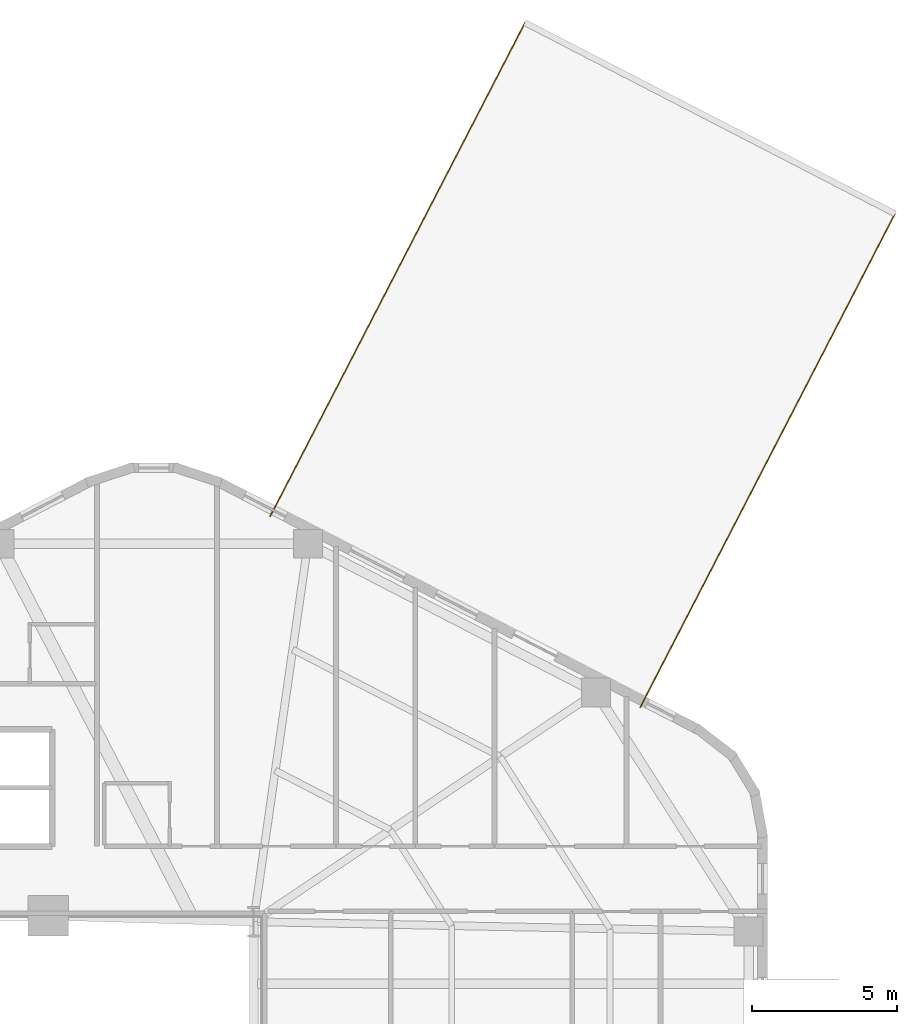
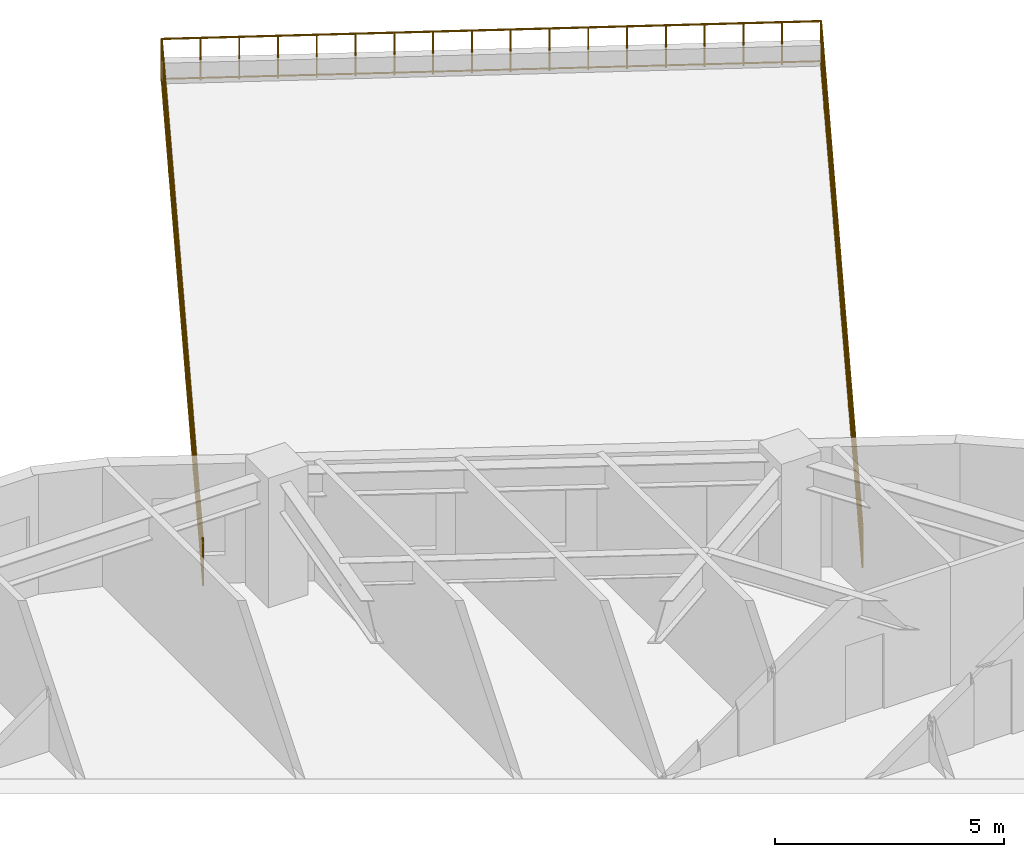
# One storey, part 8 of 8: 1 railing.
"""IFC4 building model written with IfcOpenShell, lengths in metres."""

from ifc_helpers import new_model, si_unit, direction, frame, origin, origin_2d, place, context, subcontext, project, spatial, circle, extrude, material, type_object, element, save


model = new_model("IFC4")

# Units and contexts
model_context = context("Model", 3, precision=1e-05, world=origin(), true_north=direction((0.0, 1.0)))
body_context = subcontext(model_context, "Body", "Model", "MODEL_VIEW")
ifc_project = project(units=[si_unit("LENGTHUNIT", "METRE"), si_unit("AREAUNIT", "SQUARE_METRE"), si_unit("VOLUMEUNIT", "CUBIC_METRE"), si_unit("PLANEANGLEUNIT", "RADIAN"), si_unit("MASSUNIT", "GRAM", prefix="KILO"), si_unit("THERMODYNAMICTEMPERATUREUNIT", "KELVIN"), si_unit("POWERUNIT", "WATT")], contexts=[model_context])

# Site, building, storey
site_placement = place(None, origin())
site = spatial("IfcSite", under=ifc_project, at=site_placement, CompositionType="ELEMENT")
building_placement = place(site_placement, origin())
building = spatial("IfcBuilding", under=site, at=building_placement, Name="Skarre Station Tower", CompositionType="ELEMENT")
storey_placement = place(building_placement, frame((0.0, 0.0, 122.25)))
storey = spatial("IfcBuildingStorey", under=building, at=storey_placement, Name="L32", CompositionType="ELEMENT", Elevation=122.25)

# Railing
ifc_material = material(Name="Stainless Steel Grade 316L & Laminated Safety Glass", Category="steel")
railing_type = type_object("IfcRailingType", Name="Laminated Glass & Stainless Terrace Guardrail 1150", PredefinedType="BALUSTRADE", material=ifc_material)
railing_placement = place(storey_placement, frame((52.822998046875, 36.76708984375, 0.0)))
element("IfcRailing", 1, at=railing_placement, inside=storey, type_object=railing_type, Name="L32 SB-2 Sky-Bar Roof Terrace Guardrail", PredefinedType="BALUSTRADE", context=body_context, shape_type="SweptSolid", body=[
    extrude(circle(Radius=0.02392578125, at=origin_2d()), frame((0.0, 0.0, 1.1259765625), z_axis=(0.458697010696, 0.888592737073, 0.0), x_axis=(-0.888592737073, 0.458697010696, 0.0)), (0.0, 0.0, 1.0), 19.19970703125),
    extrude(circle(Radius=0.02099609375, at=origin_2d()), frame((0.0, 0.0, 0.06005859375), z_axis=(0.458697010696, 0.888592737073, 0.0), x_axis=(-0.888592737073, 0.458697010696, 0.0)), (0.0, 0.0, 1.0), 19.19970703125),
    extrude(circle(Radius=0.02392578125, at=origin_2d()), frame((8.806884765625, 17.060791015625, 1.1259765625), z_axis=(-0.888595468438, 0.458691719427, 0.0), x_axis=(-0.458691719427, -0.888595468438, 0.0)), (0.0, 0.0, 1.0), 14.400146484375),
    extrude(circle(Radius=0.02099609375, at=origin_2d()), frame((8.806884765625, 17.060791015625, 0.06005859375), z_axis=(-0.888595468438, 0.458691719427, 0.0), x_axis=(-0.458691719427, -0.888595468438, 0.0)), (0.0, 0.0, 1.0), 14.400146484375),
    extrude(circle(Radius=0.02392578125, at=origin_2d()), frame((-3.989013671875, 23.666015625, 1.1259765625), z_axis=(-0.45865166523, -0.888616143215, 0.0), x_axis=(0.888616143215, -0.45865166523, 0.0)), (0.0, 0.0, 1.0), 19.199462890625),
    extrude(circle(Radius=0.02099609375, at=origin_2d()), frame((-3.989013671875, 23.666015625, 0.06005859375), z_axis=(-0.45865166523, -0.888616143215, 0.0), x_axis=(0.888616143215, -0.45865166523, 0.0)), (0.0, 0.0, 1.0), 19.199462890625),
    extrude(circle(Radius=0.02099609375, at=origin_2d()), origin(), (0.0, 0.0, 1.0), 1.101806640625),
    extrude(circle(Radius=0.02099609375, at=origin_2d()), frame((0.400390625, 0.775390625, 0.0)), (0.0, 0.0, 1.0), 1.101806640625),
    extrude(circle(Radius=0.02099609375, at=origin_2d()), frame((0.800537109375, 1.551025390625, 0.0)), (0.0, 0.0, 1.0), 1.101806640625),
    extrude(circle(Radius=0.02099609375, at=origin_2d()), frame((1.200927734375, 2.326416015625, 0.0)), (0.0, 0.0, 1.0), 1.101806640625),
    extrude(circle(Radius=0.02099609375, at=origin_2d()), frame((1.601318359375, 3.10205078125, 0.0)), (0.0, 0.0, 1.0), 1.101806640625),
    extrude(circle(Radius=0.02099609375, at=origin_2d()), frame((2.00146484375, 3.87744140625, 0.0)), (0.0, 0.0, 1.0), 1.101806640625),
    extrude(circle(Radius=0.02099609375, at=origin_2d()), frame((2.40185546875, 4.65283203125, 0.0)), (0.0, 0.0, 1.0), 1.101806640625),
    extrude(circle(Radius=0.02099609375, at=origin_2d()), frame((2.80224609375, 5.428466796875, 0.0)), (0.0, 0.0, 1.0), 1.101806640625),
    extrude(circle(Radius=0.02099609375, at=origin_2d()), frame((3.202392578125, 6.203857421875, 0.0)), (0.0, 0.0, 1.0), 1.101806640625),
    extrude(circle(Radius=0.02099609375, at=origin_2d()), frame((3.602783203125, 6.9794921875, 0.0)), (0.0, 0.0, 1.0), 1.101806640625),
    extrude(circle(Radius=0.02099609375, at=origin_2d()), frame((4.003173828125, 7.7548828125, 0.0)), (0.0, 0.0, 1.0), 1.101806640625),
    extrude(circle(Radius=0.02099609375, at=origin_2d()), frame((4.4033203125, 8.5302734375, 0.0)), (0.0, 0.0, 1.0), 1.101806640625),
    extrude(circle(Radius=0.02099609375, at=origin_2d()), frame((4.8037109375, 9.305908203125, 0.0)), (0.0, 0.0, 1.0), 1.101806640625),
    extrude(circle(Radius=0.02099609375, at=origin_2d()), frame((5.2041015625, 10.081298828125, 0.0)), (0.0, 0.0, 1.0), 1.101806640625),
    extrude(circle(Radius=0.02099609375, at=origin_2d()), frame((5.6044921875, 10.85693359375, 0.0)), (0.0, 0.0, 1.0), 1.101806640625),
    extrude(circle(Radius=0.02099609375, at=origin_2d()), frame((6.004638671875, 11.63232421875, 0.0)), (0.0, 0.0, 1.0), 1.101806640625),
    extrude(circle(Radius=0.02099609375, at=origin_2d()), frame((6.405029296875, 12.407958984375, 0.0)), (0.0, 0.0, 1.0), 1.101806640625),
    extrude(circle(Radius=0.02099609375, at=origin_2d()), frame((6.805419921875, 13.183349609375, 0.0)), (0.0, 0.0, 1.0), 1.101806640625),
    extrude(circle(Radius=0.02099609375, at=origin_2d()), frame((7.20556640625, 13.958740234375, 0.0)), (0.0, 0.0, 1.0), 1.101806640625),
    extrude(circle(Radius=0.02099609375, at=origin_2d()), frame((7.60595703125, 14.734375, 0.0)), (0.0, 0.0, 1.0), 1.101806640625),
    extrude(circle(Radius=0.02099609375, at=origin_2d()), frame((8.00634765625, 15.509765625, 0.0)), (0.0, 0.0, 1.0), 1.101806640625),
    extrude(circle(Radius=0.02099609375, at=origin_2d()), frame((8.406494140625, 16.285400390625, 0.0)), (0.0, 0.0, 1.0), 1.101806640625),
    extrude(circle(Radius=0.02099609375, at=origin_2d()), frame((8.806884765625, 17.060791015625, 0.0)), (0.0, 0.0, 1.0), 1.101806640625),
    extrude(circle(Radius=0.02099609375, at=origin_2d()), frame((8.05419921875, 17.44921875, 0.0)), (0.0, 0.0, 1.0), 1.101806640625),
    extrude(circle(Radius=0.02099609375, at=origin_2d()), frame((7.301513671875, 17.837890625, 0.0)), (0.0, 0.0, 1.0), 1.101806640625),
    extrude(circle(Radius=0.02099609375, at=origin_2d()), frame((6.548828125, 18.226318359375, 0.0)), (0.0, 0.0, 1.0), 1.101806640625),
    extrude(circle(Radius=0.02099609375, at=origin_2d()), frame((5.796142578125, 18.614990234375, 0.0)), (0.0, 0.0, 1.0), 1.101806640625),
    extrude(circle(Radius=0.02099609375, at=origin_2d()), frame((5.04345703125, 19.00341796875, 0.0)), (0.0, 0.0, 1.0), 1.101806640625),
    extrude(circle(Radius=0.02099609375, at=origin_2d()), frame((4.290771484375, 19.39208984375, 0.0)), (0.0, 0.0, 1.0), 1.101806640625),
    extrude(circle(Radius=0.02099609375, at=origin_2d()), frame((3.5380859375, 19.780517578125, 0.0)), (0.0, 0.0, 1.0), 1.101806640625),
    extrude(circle(Radius=0.02099609375, at=origin_2d()), frame((2.785400390625, 20.169189453125, 0.0)), (0.0, 0.0, 1.0), 1.101806640625),
    extrude(circle(Radius=0.02099609375, at=origin_2d()), frame((2.032470703125, 20.5576171875, 0.0)), (0.0, 0.0, 1.0), 1.101806640625),
    extrude(circle(Radius=0.02099609375, at=origin_2d()), frame((1.27978515625, 20.9462890625, 0.0)), (0.0, 0.0, 1.0), 1.101806640625),
    extrude(circle(Radius=0.02099609375, at=origin_2d()), frame((0.527099609375, 21.334716796875, 0.0)), (0.0, 0.0, 1.0), 1.101806640625),
    extrude(circle(Radius=0.02099609375, at=origin_2d()), frame((-0.2255859375, 21.723388671875, 0.0)), (0.0, 0.0, 1.0), 1.101806640625),
    extrude(circle(Radius=0.02099609375, at=origin_2d()), frame((-0.978271484375, 22.11181640625, 0.0)), (0.0, 0.0, 1.0), 1.101806640625),
    extrude(circle(Radius=0.02099609375, at=origin_2d()), frame((-1.73095703125, 22.50048828125, 0.0)), (0.0, 0.0, 1.0), 1.101806640625),
    extrude(circle(Radius=0.02099609375, at=origin_2d()), frame((-2.483642578125, 22.888916015625, 0.0)), (0.0, 0.0, 1.0), 1.101806640625),
    extrude(circle(Radius=0.02099609375, at=origin_2d()), frame((-3.236328125, 23.277587890625, 0.0)), (0.0, 0.0, 1.0), 1.101806640625),
    extrude(circle(Radius=0.02099609375, at=origin_2d()), frame((-3.989013671875, 23.666015625, 0.0)), (0.0, 0.0, 1.0), 1.101806640625),
    extrude(circle(Radius=0.02099609375, at=origin_2d()), frame((-4.38916015625, 22.890625, 0.0)), (0.0, 0.0, 1.0), 1.101806640625),
    extrude(circle(Radius=0.02099609375, at=origin_2d()), frame((-4.78955078125, 22.114990234375, 0.0)), (0.0, 0.0, 1.0), 1.101806640625),
    extrude(circle(Radius=0.02099609375, at=origin_2d()), frame((-5.18994140625, 21.339599609375, 0.0)), (0.0, 0.0, 1.0), 1.101806640625),
    extrude(circle(Radius=0.02099609375, at=origin_2d()), frame((-5.590087890625, 20.56396484375, 0.0)), (0.0, 0.0, 1.0), 1.101806640625),
    extrude(circle(Radius=0.02099609375, at=origin_2d()), frame((-5.990234375, 19.78857421875, 0.0)), (0.0, 0.0, 1.0), 1.101806640625),
    extrude(circle(Radius=0.02099609375, at=origin_2d()), frame((-6.390625, 19.012939453125, 0.0)), (0.0, 0.0, 1.0), 1.101806640625),
    extrude(circle(Radius=0.02099609375, at=origin_2d()), frame((-6.791015625, 18.237548828125, 0.0)), (0.0, 0.0, 1.0), 1.101806640625),
    extrude(circle(Radius=0.02099609375, at=origin_2d()), frame((-7.191162109375, 17.4619140625, 0.0)), (0.0, 0.0, 1.0), 1.101806640625),
    extrude(circle(Radius=0.02099609375, at=origin_2d()), frame((-7.59130859375, 16.6865234375, 0.0)), (0.0, 0.0, 1.0), 1.101806640625),
    extrude(circle(Radius=0.02099609375, at=origin_2d()), frame((-7.99169921875, 15.910888671875, 0.0)), (0.0, 0.0, 1.0), 1.101806640625),
    extrude(circle(Radius=0.02099609375, at=origin_2d()), frame((-8.39208984375, 15.135498046875, 0.0)), (0.0, 0.0, 1.0), 1.101806640625),
    extrude(circle(Radius=0.02099609375, at=origin_2d()), frame((-8.792236328125, 14.360107421875, 0.0)), (0.0, 0.0, 1.0), 1.101806640625),
    extrude(circle(Radius=0.02099609375, at=origin_2d()), frame((-9.1923828125, 13.58447265625, 0.0)), (0.0, 0.0, 1.0), 1.101806640625),
    extrude(circle(Radius=0.02099609375, at=origin_2d()), frame((-9.5927734375, 12.80908203125, 0.0)), (0.0, 0.0, 1.0), 1.101806640625),
    extrude(circle(Radius=0.02099609375, at=origin_2d()), frame((-9.9931640625, 12.033447265625, 0.0)), (0.0, 0.0, 1.0), 1.101806640625),
    extrude(circle(Radius=0.02099609375, at=origin_2d()), frame((-10.393310546875, 11.258056640625, 0.0)), (0.0, 0.0, 1.0), 1.101806640625),
    extrude(circle(Radius=0.02099609375, at=origin_2d()), frame((-10.79345703125, 10.482421875, 0.0)), (0.0, 0.0, 1.0), 1.101806640625),
    extrude(circle(Radius=0.02099609375, at=origin_2d()), frame((-11.19384765625, 9.70703125, 0.0)), (0.0, 0.0, 1.0), 1.101806640625),
    extrude(circle(Radius=0.02099609375, at=origin_2d()), frame((-11.59423828125, 8.931396484375, 0.0)), (0.0, 0.0, 1.0), 1.101806640625),
    extrude(circle(Radius=0.02099609375, at=origin_2d()), frame((-11.994384765625, 8.156005859375, 0.0)), (0.0, 0.0, 1.0), 1.101806640625),
    extrude(circle(Radius=0.02099609375, at=origin_2d()), frame((-12.39453125, 7.38037109375, 0.0)), (0.0, 0.0, 1.0), 1.101806640625),
    extrude(circle(Radius=0.02099609375, at=origin_2d()), frame((-12.794921875, 6.60498046875, 0.0)), (0.0, 0.0, 1.0), 1.101806640625),
])

save(model, "model.ifc")
